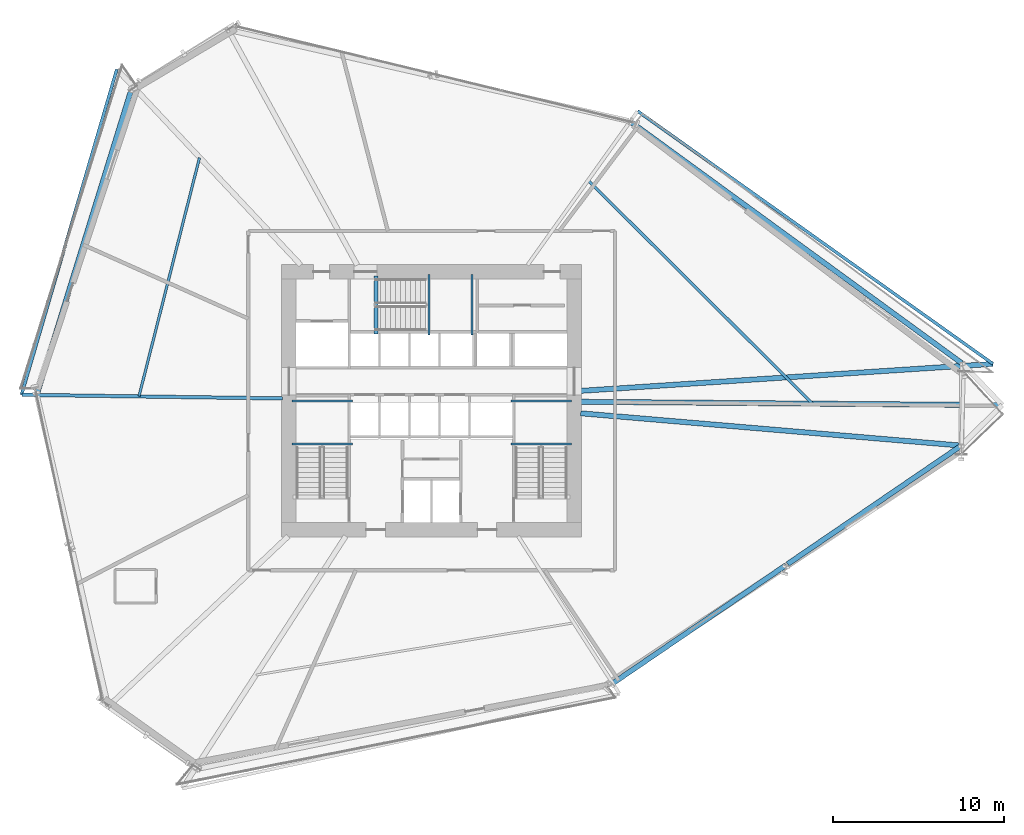
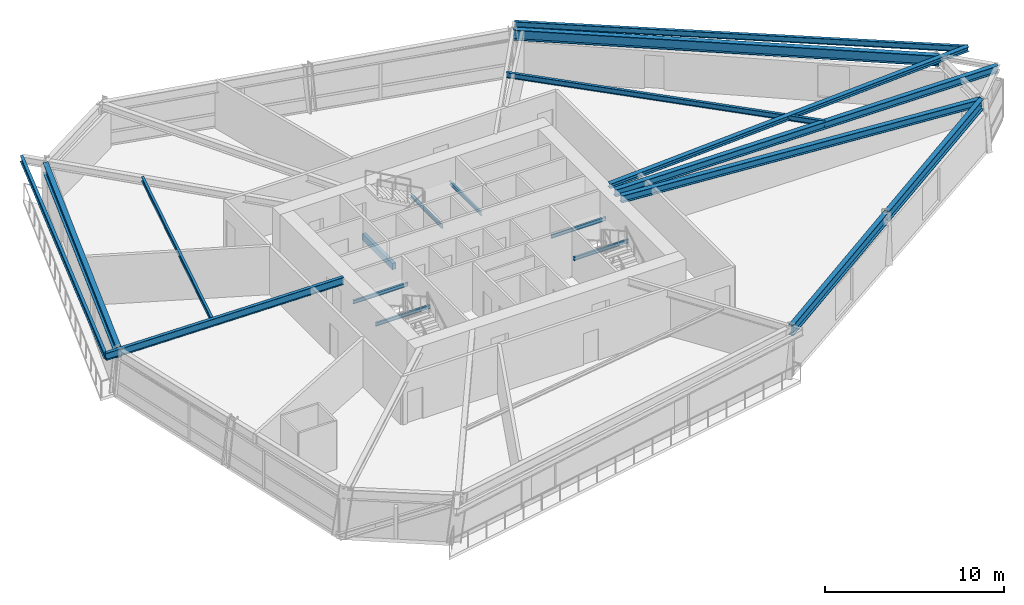
# One storey, part 7 of 24: 19 beams.
"""IFC4 building model written with IfcOpenShell, lengths in metres."""

from ifc_helpers import new_model, si_unit, direction, frame, origin, origin_2d, place, context, subcontext, project, spatial, rectangle, i_section, extrude, source, transform, mapped, material, material_profile, profile_set, type_object, element, save


model = new_model("IFC4")

# Units and contexts
model_context = context("Model", 3, precision=1e-05, world=origin(), true_north=direction((0.0, 1.0)))
body_context = subcontext(model_context, "Body", "Model", "MODEL_VIEW")
ifc_project = project(units=[si_unit("LENGTHUNIT", "METRE"), si_unit("AREAUNIT", "SQUARE_METRE"), si_unit("VOLUMEUNIT", "CUBIC_METRE"), si_unit("PLANEANGLEUNIT", "RADIAN"), si_unit("MASSUNIT", "GRAM", prefix="KILO")], contexts=[model_context])

# Site, building, storey
site_placement = place(None, origin())
site = spatial("IfcSite", under=ifc_project, at=site_placement, CompositionType="ELEMENT")
building_placement = place(site_placement, origin())
building = spatial("IfcBuilding", under=site, at=building_placement, Name="Olszyna Solenne Hotel", CompositionType="ELEMENT")
storey_placement = place(building_placement, frame((0.0, 0.0, 29.300048828125)))
storey = spatial("IfcBuildingStorey", under=building, at=storey_placement, Name="L06", CompositionType="ELEMENT", Elevation=29.300048828125)

# Beams
ifc_material_1 = material(Name="Steel S355J2", Category="steel")
ifc_material_profile_1 = material_profile(ifc_material_1, i_section(OverallWidth=0.300048828125, OverallDepth=0.699951171875, WebThickness=0.01708984375, FlangeThickness=0.031982421875, at=origin_2d()), Name="HEB 700", Category="load-bearing")
ifc_profile_set_1 = profile_set([ifc_material_profile_1], Name="Steel S355J2")
beam_type_1 = type_object("IfcBeamType", Name="BM-S1", PredefinedType="BEAM", material=ifc_profile_set_1)
shared_shape_1 = source(origin(), body_context, "Body", "SweptSolid", [
    extrude(i_section(OverallWidth=0.300048828125, OverallDepth=0.699951171875, WebThickness=0.01708984375, FlangeThickness=0.031982421875, at=origin_2d()), origin(), (0.0, 0.0, 1.0), 23.911865234375),
])
beam_1_placement = place(storey_placement, frame((68.926513671875, 28.794677734375, 2.949951171875), z_axis=(-0.808105135201, 0.589038275888, 0.0), x_axis=(-0.589038275888, -0.808105135201, 0.0)))
element("IfcBeam", 1, at=beam_1_placement, inside=storey, type_object=beam_type_1, Name="Perimeter spandrel beam BM-S1 B-L06-0202", PredefinedType="BEAM", context=body_context, shape_type="MappedRepresentation", body=[
    mapped(shared_shape_1, transform((0.0, 0.0, 0.0), x_axis=(1.0, 0.0, 0.0), y_axis=(0.0, 1.0, 0.0), z_axis=(0.0, 0.0, 1.0), scale=1.0)),
])
shared_shape_2 = source(origin(), body_context, "Body", "SweptSolid", [
    extrude(i_section(OverallWidth=0.300048828125, OverallDepth=0.699951171875, WebThickness=0.01708984375, FlangeThickness=0.031982421875, at=origin_2d()), origin(), (0.0, 0.0, 1.0), 18.537841796875),
])
beam_2_placement = place(storey_placement, frame((20.460693359375, 44.69873046875, 2.949951171875), z_axis=(-0.29592694886, -0.955210574135, 0.0), x_axis=(0.955210574135, -0.29592694886, 0.0)))
element("IfcBeam", 2, at=beam_2_placement, inside=storey, type_object=beam_type_1, Name="Perimeter spandrel beam BM-S1 B-L06-0206", PredefinedType="BEAM", context=body_context, shape_type="MappedRepresentation", body=[
    mapped(shared_shape_2, transform((0.0, 0.0, 0.0), x_axis=(1.0, 0.0, 0.0), y_axis=(0.0, 1.0, 0.0), z_axis=(0.0, 0.0, 1.0), scale=1.0)),
])
shared_shape_3 = source(origin(), body_context, "Body", "SweptSolid", [
    extrude(i_section(OverallWidth=0.300048828125, OverallDepth=0.699951171875, WebThickness=0.01708984375, FlangeThickness=0.031982421875, at=origin_2d()), origin(), (0.0, 0.0, 1.0), 12.20947265625),
])
beam_3_placement = place(storey_placement, frame((48.589599609375, 10.115966796875, 2.949951171875), z_axis=(0.826177842986, 0.563409417527, 0.0), x_axis=(-0.563409417527, 0.826177842986, 0.0)))
element("IfcBeam", 3, at=beam_3_placement, inside=storey, type_object=beam_type_1, Name="Perimeter spandrel beam BM-S1 B-L06-0211", PredefinedType="BEAM", context=body_context, shape_type="MappedRepresentation", body=[
    mapped(shared_shape_3, transform((0.0, 0.0, 0.0), x_axis=(1.0, 0.0, 0.0), y_axis=(0.0, 1.0, 0.0), z_axis=(0.0, 0.0, 1.0), scale=1.0)),
])
shared_shape_4 = source(origin(), body_context, "Body", "SweptSolid", [
    extrude(i_section(OverallWidth=0.300048828125, OverallDepth=0.699951171875, WebThickness=0.01708984375, FlangeThickness=0.031982421875, at=origin_2d()), origin(), (0.0, 0.0, 1.0), 12.208984375),
])
beam_4_placement = place(storey_placement, frame((58.77587890625, 17.0625, 2.949951171875), z_axis=(0.8261808034, 0.563405076382, 0.0), x_axis=(-0.563405076382, 0.8261808034, 0.0)))
element("IfcBeam", 4, at=beam_4_placement, inside=storey, type_object=beam_type_1, Name="Perimeter spandrel beam BM-S1 B-L06-0212", PredefinedType="BEAM", context=body_context, shape_type="MappedRepresentation", body=[
    mapped(shared_shape_4, transform((0.0, 0.0, 0.0), x_axis=(1.0, 0.0, 0.0), y_axis=(0.0, 1.0, 0.0), z_axis=(0.0, 0.0, 1.0), scale=1.0)),
])
ifc_material_profile_2 = material_profile(ifc_material_1, i_section(OverallWidth=0.300048828125, OverallDepth=0.489990234375, WebThickness=0.011962890625, FlangeThickness=0.02294921875, at=origin_2d()), Name="HEA 500", Category="load-bearing")
ifc_profile_set_2 = profile_set([ifc_material_profile_2], Name="Steel S355J2")
beam_type_2 = type_object("IfcBeamType", Name="BM-G1", PredefinedType="BEAM", material=ifc_profile_set_2)
shared_shape_5 = source(origin(), body_context, "Body", "SweptSolid", [
    extrude(i_section(OverallWidth=0.300048828125, OverallDepth=0.489990234375, WebThickness=0.011962890625, FlangeThickness=0.02294921875, at=origin_2d()), origin(), (0.0, 0.0, 1.0), 22.232421875),
])
beam_5_placement = place(storey_placement, frame((68.852783203125, 23.97998046875, 3.054931640625), z_axis=(-0.996414039393, 0.084611240988, 0.0), x_axis=(-0.084611240988, -0.996414039393, 0.0)))
element("IfcBeam", 5, at=beam_5_placement, inside=storey, type_object=beam_type_2, Name="Radial floor girder BM-G1 B-L06-0213", PredefinedType="BEAM", context=body_context, shape_type="MappedRepresentation", body=[
    mapped(shared_shape_5, transform((0.0, 0.0, 0.0), x_axis=(1.0, 0.0, 0.0), y_axis=(0.0, 1.0, 0.0), z_axis=(0.0, 0.0, 1.0), scale=1.0)),
])
shared_shape_6 = source(origin(), body_context, "Body", "SweptSolid", [
    extrude(i_section(OverallWidth=0.300048828125, OverallDepth=0.489990234375, WebThickness=0.011962890625, FlangeThickness=0.02294921875, at=origin_2d()), origin(), (0.0, 0.0, 1.0), 24.574462890625),
])
beam_6_placement = place(storey_placement, frame((71.273681640625, 26.336669921875, 3.054931640625), z_axis=(-0.999967621489, 0.008047109637, 0.0), x_axis=(-0.008047109637, -0.999967621489, 0.0)))
element("IfcBeam", 6, at=beam_6_placement, inside=storey, type_object=beam_type_2, Name="Radial floor girder BM-G1 B-L06-0214", PredefinedType="BEAM", context=body_context, shape_type="MappedRepresentation", body=[
    mapped(shared_shape_6, transform((0.0, 0.0, 0.0), x_axis=(1.0, 0.0, 0.0), y_axis=(0.0, 1.0, 0.0), z_axis=(0.0, 0.0, 1.0), scale=1.0)),
])
ifc_material_profile_3 = material_profile(ifc_material_1, i_section(OverallWidth=0.199951171875, OverallDepth=0.5, WebThickness=0.01025390625, FlangeThickness=0.01611328125, at=origin_2d()), Name="IPE 500", Category="load-bearing")
ifc_profile_set_3 = profile_set([ifc_material_profile_3], Name="Steel S355J2")
beam_type_3 = type_object("IfcBeamType", Name="BM-F3", PredefinedType="BEAM", material=ifc_profile_set_3)
shared_shape_7 = source(origin(), body_context, "Body", "SweptSolid", [
    extrude(i_section(OverallWidth=0.199951171875, OverallDepth=0.5, WebThickness=0.01025390625, FlangeThickness=0.01611328125, at=origin_2d()), origin(), (0.0, 0.0, 1.0), 15.215087890625),
])
beam_7_placement = place(storey_placement, frame((14.08642578125, 26.94091796875, 3.050048828125), z_axis=(0.999900302286, -0.014120392618, 0.0), x_axis=(0.014120392618, 0.999900302286, 0.0)))
element("IfcBeam", 7, at=beam_7_placement, inside=storey, type_object=beam_type_3, Name="Radial floor girder BM-F3 B-L06-0218", PredefinedType="BEAM", context=body_context, shape_type="MappedRepresentation", body=[
    mapped(shared_shape_7, transform((0.0, 0.0, 0.0), x_axis=(1.0, 0.0, 0.0), y_axis=(0.0, 1.0, 0.0), z_axis=(0.0, 0.0, 1.0), scale=1.0)),
])
ifc_material_profile_4 = material_profile(ifc_material_1, i_section(OverallWidth=0.300048828125, OverallDepth=0.31005859375, WebThickness=0.009033203125, FlangeThickness=0.015380859375, at=origin_2d()), Name="HEA 320", Category="load-bearing")
ifc_profile_set_4 = profile_set([ifc_material_profile_4], Name="Steel S355J2")
beam_type_4 = type_object("IfcBeamType", Name="BM-G3", PredefinedType="BEAM", material=ifc_profile_set_4)
shared_shape_8 = source(origin(), body_context, "Body", "SweptSolid", [
    extrude(i_section(OverallWidth=0.300048828125, OverallDepth=0.31005859375, WebThickness=0.009033203125, FlangeThickness=0.015380859375, at=origin_2d()), origin(), (0.0, 0.0, 1.0), 24.107177734375),
])
beam_8_placement = place(storey_placement, frame((70.755859375, 28.744384765625, 3.14501953125), z_axis=(-0.997864292306, -0.065321161505, 0.0), x_axis=(0.065321161505, -0.997864292306, 0.0)))
element("IfcBeam", 8, at=beam_8_placement, inside=storey, type_object=beam_type_4, Name="Loggia/prism radial back-span girder BM-G3 B-L06-0224", PredefinedType="BEAM", context=body_context, shape_type="MappedRepresentation", body=[
    mapped(shared_shape_8, transform((0.0, 0.0, 0.0), x_axis=(1.0, 0.0, 0.0), y_axis=(0.0, 1.0, 0.0), z_axis=(0.0, 0.0, 1.0), scale=1.0)),
])
ifc_material_profile_5 = material_profile(ifc_material_1, i_section(OverallWidth=0.169921875, OverallDepth=0.360107421875, WebThickness=0.008056640625, FlangeThickness=0.0126953125, at=origin_2d()), Name="IPE 360", Category="load-bearing")
ifc_profile_set_5 = profile_set([ifc_material_profile_5], Name="Steel S355J2")
beam_type_5 = type_object("IfcBeamType", Name="JS-01", PredefinedType="JOIST", material=ifc_profile_set_5)
shared_shape_9 = source(origin(), body_context, "Body", "SweptSolid", [
    extrude(i_section(OverallWidth=0.169921875, OverallDepth=0.360107421875, WebThickness=0.008056640625, FlangeThickness=0.0126953125, at=origin_2d()), origin(), (0.0, 0.0, 1.0), 18.43017578125),
])
beam_9_placement = place(storey_placement, frame((60.21240234375, 26.439697265625, 3.119873046875), z_axis=(-0.708912649581, 0.705296288991, 0.0), x_axis=(-0.705296288991, -0.708912649581, 0.0)))
element("IfcBeam", 9, at=beam_9_placement, inside=storey, type_object=beam_type_5, Name="Secondary composite floor joist JS-01 B-L06-0225", PredefinedType="JOIST", context=body_context, shape_type="MappedRepresentation", body=[
    mapped(shared_shape_9, transform((0.0, 0.0, 0.0), x_axis=(1.0, 0.0, 0.0), y_axis=(0.0, 1.0, 0.0), z_axis=(0.0, 0.0, 1.0), scale=1.0)),
])
ifc_material_profile_6 = material_profile(ifc_material_1, i_section(OverallWidth=0.14990234375, OverallDepth=0.300048828125, WebThickness=0.007080078125, FlangeThickness=0.0107421875, at=origin_2d()), Name="IPE 300", Category="load-bearing")
ifc_profile_set_6 = profile_set([ifc_material_profile_6], Name="Steel S355J2")
beam_type_6 = type_object("IfcBeamType", Name="JS-02", PredefinedType="JOIST", material=ifc_profile_set_6)
shared_shape_10 = source(origin(), body_context, "Body", "SweptSolid", [
    extrude(i_section(OverallWidth=0.14990234375, OverallDepth=0.300048828125, WebThickness=0.007080078125, FlangeThickness=0.0107421875, at=origin_2d()), origin(), (0.0, 0.0, 1.0), 14.353515625),
])
beam_10_placement = place(storey_placement, frame((24.455810546875, 40.776611328125, 3.14990234375), z_axis=(-0.245883977211, -0.969299267384, 0.0), x_axis=(0.969299267384, -0.245883977211, 0.0)))
element("IfcBeam", 10, at=beam_10_placement, inside=storey, type_object=beam_type_6, Name="Secondary composite floor joist JS-02 B-L06-0226", PredefinedType="JOIST", context=body_context, shape_type="MappedRepresentation", body=[
    mapped(shared_shape_10, transform((0.0, 0.0, 0.0), x_axis=(1.0, 0.0, 0.0), y_axis=(0.0, 1.0, 0.0), z_axis=(0.0, 0.0, 1.0), scale=1.0)),
])
ifc_material_profile_7 = material_profile(ifc_material_1, i_section(OverallWidth=0.179931640625, OverallDepth=0.39990234375, WebThickness=0.008544921875, FlangeThickness=0.013427734375, at=origin_2d()), Name="IPE 400", Category="load-bearing")
ifc_profile_set_7 = profile_set([ifc_material_profile_7], Name="Steel S355J2")
beam_type_7 = type_object("IfcBeamType", Name="BM-F5", PredefinedType="BEAM", material=ifc_profile_set_7)
shared_shape_11 = source(origin(), body_context, "Body", "SweptSolid", [
    extrude(i_section(OverallWidth=0.179931640625, OverallDepth=0.39990234375, WebThickness=0.008544921875, FlangeThickness=0.013427734375, at=origin_2d()), origin(), (0.0, 0.0, 1.0), 25.44677734375),
])
beam_11_placement = place(storey_placement, frame((70.755859375, 28.744384765625, 3.099853515625), z_axis=(-0.81479136413, 0.579754286693, 0.0), x_axis=(-0.579754286693, -0.81479136413, 0.0)))
element("IfcBeam", 11, at=beam_11_placement, inside=storey, type_object=beam_type_7, Name="Loggia outer edge beam BM-F5 B-L06-0228", PredefinedType="BEAM", context=body_context, shape_type="MappedRepresentation", body=[
    mapped(shared_shape_11, transform((0.0, 0.0, 0.0), x_axis=(1.0, 0.0, 0.0), y_axis=(0.0, 1.0, 0.0), z_axis=(0.0, 0.0, 1.0), scale=1.0)),
])
shared_shape_12 = source(origin(), body_context, "Body", "SweptSolid", [
    extrude(i_section(OverallWidth=0.179931640625, OverallDepth=0.39990234375, WebThickness=0.008544921875, FlangeThickness=0.013427734375, at=origin_2d()), origin(), (0.0, 0.0, 1.0), 19.792724609375),
])
beam_12_placement = place(storey_placement, frame((19.632080078125, 45.935546875, 3.099853515625), z_axis=(-0.281197188578, -0.95965000971, 0.0), x_axis=(0.95965000971, -0.281197188578, 0.0)))
element("IfcBeam", 12, at=beam_12_placement, inside=storey, type_object=beam_type_7, Name="Loggia outer edge beam BM-F5 B-L06-0229", PredefinedType="BEAM", context=body_context, shape_type="MappedRepresentation", body=[
    mapped(shared_shape_12, transform((0.0, 0.0, 0.0), x_axis=(1.0, 0.0, 0.0), y_axis=(0.0, 1.0, 0.0), z_axis=(0.0, 0.0, 1.0), scale=1.0)),
])
ifc_material_profile_8 = material_profile(ifc_material_1, i_section(OverallWidth=0.1201171875, OverallDepth=0.239990234375, WebThickness=0.006103515625, FlangeThickness=0.009765625, at=origin_2d()), Name="IPE 240", Category="load-bearing")
ifc_profile_set_8 = profile_set([ifc_material_profile_8], Name="Steel S355J2")
beam_type_8 = type_object("IfcBeamType", Name="JS-03", PredefinedType="JOIST", material=ifc_profile_set_8)
shared_shape_13 = source(origin(), body_context, "Body", "SweptSolid", [
    extrude(i_section(OverallWidth=0.1201171875, OverallDepth=0.239990234375, WebThickness=0.006103515625, FlangeThickness=0.009765625, at=origin_2d()), origin(), (0.0, 0.0, 1.0), 3.539794921875),
])
for number, where, z_axis, x_axis, name in (
    (13, (33.3798828125, 24.070068359375, 1.449951171875), (-1.0, 0.0, 0.0), (0.0, -1.0, 0.0), "Stair landing support beam JS-03 SLB-ST1-0017"),
    (14, (33.3798828125, 26.580078125, 1.449951171875), (-1.0, 0.0, 0.0), (0.0, -1.0, 0.0), "Stair landing support beam JS-03 SLB-ST1-0018"),
    (15, (46.159912109375, 24.070068359375, 1.449951171875), (-1.0, 0.0, 0.0), (0.0, -1.0, 0.0), "Stair landing support beam JS-03 SLB-ST2-0257"),
    (16, (46.159912109375, 26.580078125, 1.449951171875), (-1.0, 0.0, 0.0), (0.0, -1.0, 0.0), "Stair landing support beam JS-03 SLB-ST2-0258"),
):
    element("IfcBeam", number, at=place(storey_placement, frame(where, z_axis=z_axis, x_axis=x_axis)), inside=storey, type_object=beam_type_8, Name=name, PredefinedType="JOIST", context=body_context, shape_type="MappedRepresentation", body=[
        mapped(shared_shape_13, transform((0.0, 0.0, 0.0), x_axis=(1.0, 0.0, 0.0), y_axis=(0.0, 1.0, 0.0), z_axis=(0.0, 0.0, 1.0), scale=1.0)),
    ])
shared_shape_14 = source(origin(), body_context, "Body", "SweptSolid", [
    extrude(i_section(OverallWidth=0.1201171875, OverallDepth=0.239990234375, WebThickness=0.006103515625, FlangeThickness=0.009765625, at=origin_2d()), origin(), (0.0, 0.0, 1.0), 3.5400390625),
])
for number, where, z_axis, x_axis, name in (
    (17, (37.85009765625, 30.419921875, 1.449951171875), (0.0, 1.0, 0.0), (-1.0, 0.0, 0.0), "Stair landing support beam JS-03 SLB-ST3-0497"),
    (18, (40.360107421875, 30.419921875, 1.449951171875), (0.0, 1.0, 0.0), (-1.0, 0.0, 0.0), "Stair landing support beam JS-03 SLB-ST3-0498"),
):
    element("IfcBeam", number, at=place(storey_placement, frame(where, z_axis=z_axis, x_axis=x_axis)), inside=storey, type_object=beam_type_8, Name=name, PredefinedType="JOIST", context=body_context, shape_type="MappedRepresentation", body=[
        mapped(shared_shape_14, transform((0.0, 0.0, 0.0), x_axis=(1.0, 0.0, 0.0), y_axis=(0.0, 1.0, 0.0), z_axis=(0.0, 0.0, 1.0), scale=1.0)),
    ])
ifc_material_2 = material(Name="Concrete C50/60", Category="concrete")
ifc_material_profile_9 = material_profile(ifc_material_2, rectangle(XDim=0.219970703125, YDim=0.43994140625, at=origin_2d()), Name="RC 220x440", Category="load-bearing")
ifc_profile_set_9 = profile_set([ifc_material_profile_9], Name="Concrete C50/60")
beam_type_9 = type_object("IfcBeamType", Name="BM-ST1", PredefinedType="BEAM", material=ifc_profile_set_9)
shared_shape_15 = source(origin(), body_context, "Body", "SweptSolid", [
    extrude(rectangle(XDim=0.219970703125, YDim=0.43994140625, at=origin_2d()), origin(), (0.0, 0.0, 1.0), 3.3798828125),
])
beam_13_placement = place(storey_placement, frame((34.760009765625, 30.5, -0.205078125), z_axis=(0.0, 1.0, 0.0), x_axis=(-1.0, 0.0, 0.0)))
element("IfcBeam", 19, at=beam_13_placement, inside=storey, type_object=beam_type_9, Name="Concrete stair trimmer beam BM-ST1 SHB-ST3-0646", PredefinedType="BEAM", context=body_context, shape_type="MappedRepresentation", body=[
    mapped(shared_shape_15, transform((0.0, 0.0, 0.0), x_axis=(1.0, 0.0, 0.0), y_axis=(0.0, 1.0, 0.0), z_axis=(0.0, 0.0, 1.0), scale=1.0)),
])

save(model, "model.ifc")
